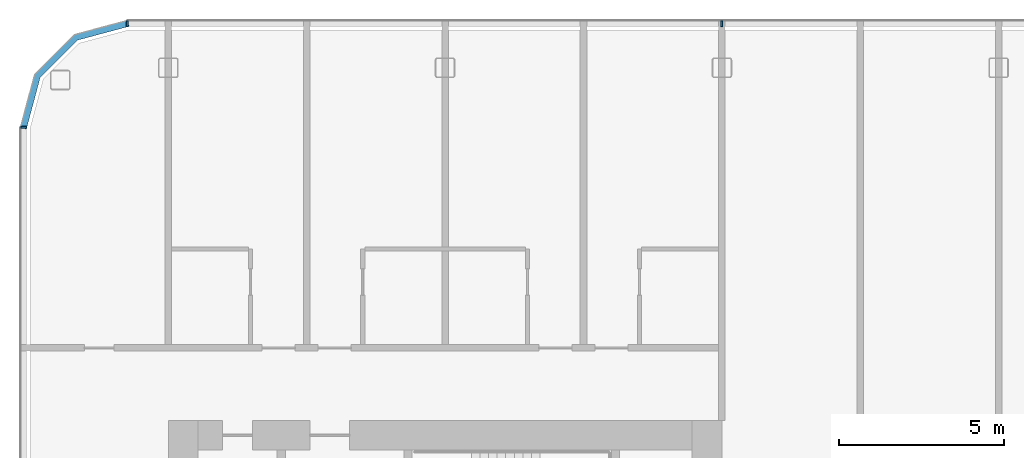
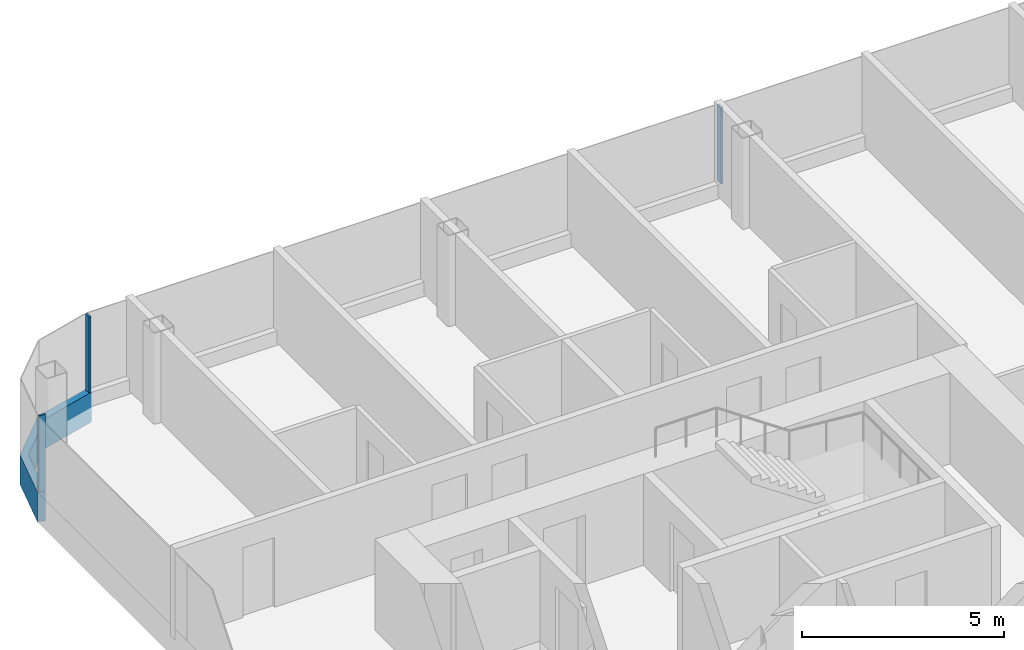
# One storey, part 6 of 26: 4 members, 3 elements without a shape of their own.
"""IFC4 building model written with IfcOpenShell, lengths in metres."""

from ifc_helpers import new_model, si_unit, direction, frame, origin, origin_2d, place, context, subcontext, project, spatial, polyline, rectangle, outline, extrude, material, layer, layer_set, material_profile, profile_set, type_object, element, aggregate, save


model = new_model("IFC4")

# Units and contexts
model_context = context("Model", 3, precision=1e-05, world=origin(), true_north=direction((0.0, 1.0)))
body_context = subcontext(model_context, "Body", "Model", "MODEL_VIEW")
ifc_project = project(units=[si_unit("LENGTHUNIT", "METRE"), si_unit("AREAUNIT", "SQUARE_METRE"), si_unit("VOLUMEUNIT", "CUBIC_METRE"), si_unit("PLANEANGLEUNIT", "RADIAN"), si_unit("MASSUNIT", "GRAM", prefix="KILO")], contexts=[model_context])

# Site, building, storey
site_placement = place(None, origin())
site = spatial("IfcSite", under=ifc_project, at=site_placement, CompositionType="ELEMENT")
building_placement = place(site_placement, origin())
building = spatial("IfcBuilding", under=site, at=building_placement, Name="Hakoniwa Tower and Hamabe Station Hall", CompositionType="ELEMENT")
storey_placement = place(building_placement, frame((0.0, 0.0, 189.800048828125)))
storey = spatial("IfcBuildingStorey", under=building, at=storey_placement, Name="L53", CompositionType="ELEMENT", Elevation=189.800048828125)

# Curtain wall, member
ifc_material_1 = material(Name="Dark low-e laminated glass", Category="glass")
ifc_layer = layer(ifc_material_1, 0.199951171875)
ifc_layer_set = layer_set([ifc_layer], Name="CW-1 UNITISED GUEST")
curtain_wall_type = type_object("IfcCurtainWallType", Name="CW-1 UNITISED GUEST", PredefinedType="NOTDEFINED", material=ifc_layer_set)
curtain_wall_1_placement = place(storey_placement, origin())
curtain_wall_1 = element("IfcCurtainWall", 1, at=curtain_wall_1_placement, inside=storey, type_object=curtain_wall_type, Name="CW-1 curtain wall", PredefinedType="NOTDEFINED")
ifc_material_2 = material(Name="Aluminium 6063-T5 black anodised", Category="aluminium")
ifc_material_profile_1 = material_profile(ifc_material_2, rectangle(XDim=0.199951171875, YDim=0.89990234375, at=origin_2d()), Name="CW SLAB-EDGE BAND 900X200")
ifc_profile_set_1 = profile_set([ifc_material_profile_1], Name="Aluminium 6063-T5 black anodised")
member_type_1 = type_object("IfcMemberType", Name="CW SLAB-EDGE BAND 900X200", PredefinedType="USERDEFINED", material=ifc_profile_set_1)
member_1_placement = place(storey_placement, frame((0.0, 0.0, -0.550048828125)))
member_1 = element("IfcMember", 2, at=member_1_placement, type_object=member_type_1, Name="CW-1 transom", ObjectType="TRANSOM", PredefinedType="USERDEFINED", context=body_context, shape_type="SweptSolid", body=[
    extrude(outline(polyline([(-34.839599609375, 20.550048828125), (-36.455322265625, 20.116943359375), (-37.6669921875, 18.9052734375), (-38.10009765625, 17.28955078125), (-37.90673828125, 17.23779296875), (-37.48779296875, 18.8017578125), (-36.351806640625, 19.937744140625), (-34.787841796875, 20.35693359375), (-34.839599609375, 20.550048828125)])), origin(), (0.0, 0.0, 1.0), 0.89990234375),
])
aggregate(curtain_wall_1, [member_1])

# Curtain wall, members
curtain_wall_2_placement = place(storey_placement, origin())
curtain_wall_2 = element("IfcCurtainWall", 3, at=curtain_wall_2_placement, inside=storey, type_object=curtain_wall_type, Name="CW-1 curtain wall", PredefinedType="NOTDEFINED")
ifc_material_3 = material(Name="Aluminium 6063-T5 black anodised", Category="aluminium")
ifc_material_profile_2 = material_profile(ifc_material_3, rectangle(XDim=0.06005859375, YDim=0.179931640625, at=origin_2d()), Name="CW-1 MULLION 60X180")
ifc_profile_set_2 = profile_set([ifc_material_profile_2], Name="Aluminium 6063-T5 black anodised")
member_type_2 = type_object("IfcMemberType", Name="CW-1 MULLION 60X180", PredefinedType="MULLION", material=ifc_profile_set_2)
member_2_placement = place(storey_placement, frame((-16.800048828125, 20.431884765625, 0.349853515625), z_axis=(0.0, 0.0, 1.0), x_axis=(-1.0, 0.0, 0.0)))
member_2 = element("IfcMember", 4, at=member_2_placement, type_object=member_type_2, Name="CW-1 mullion", PredefinedType="MULLION", context=body_context, shape_type="SweptSolid", body=[
    extrude(rectangle(XDim=0.06005859375, YDim=0.179931640625, at=origin_2d()), origin(), (0.0, 0.0, 1.0), 2.300048828125),
])
member_3_placement = place(storey_placement, frame((-34.839599609375, 20.431884765625, 0.349853515625), z_axis=(0.0, 0.0, 1.0), x_axis=(-1.0, 0.0, 0.0)))
member_3 = element("IfcMember", 5, at=member_3_placement, type_object=member_type_2, Name="CW-1 mullion", PredefinedType="MULLION", context=body_context, shape_type="SweptSolid", body=[
    extrude(rectangle(XDim=0.06005859375, YDim=0.179931640625, at=origin_2d()), origin(), (0.0, 0.0, 1.0), 2.300048828125),
])
aggregate(curtain_wall_2, [member_2, member_3])

# Curtain wall, member
curtain_wall_3_placement = place(storey_placement, origin())
curtain_wall_3 = element("IfcCurtainWall", 6, at=curtain_wall_3_placement, inside=storey, type_object=curtain_wall_type, Name="CW-1 curtain wall", PredefinedType="NOTDEFINED")
member_4_placement = place(storey_placement, frame((-37.98193359375, 17.28955078125, 0.349853515625), z_axis=(0.0, 0.0, 1.0), x_axis=(0.0, -1.0, 0.0)))
member_4 = element("IfcMember", 7, at=member_4_placement, type_object=member_type_2, Name="CW-1 mullion", PredefinedType="MULLION", context=body_context, shape_type="SweptSolid", body=[
    extrude(rectangle(XDim=0.06005859375, YDim=0.179931640625, at=origin_2d()), origin(), (0.0, 0.0, 1.0), 2.300048828125),
])
aggregate(curtain_wall_3, [member_4])

save(model, "model.ifc")
